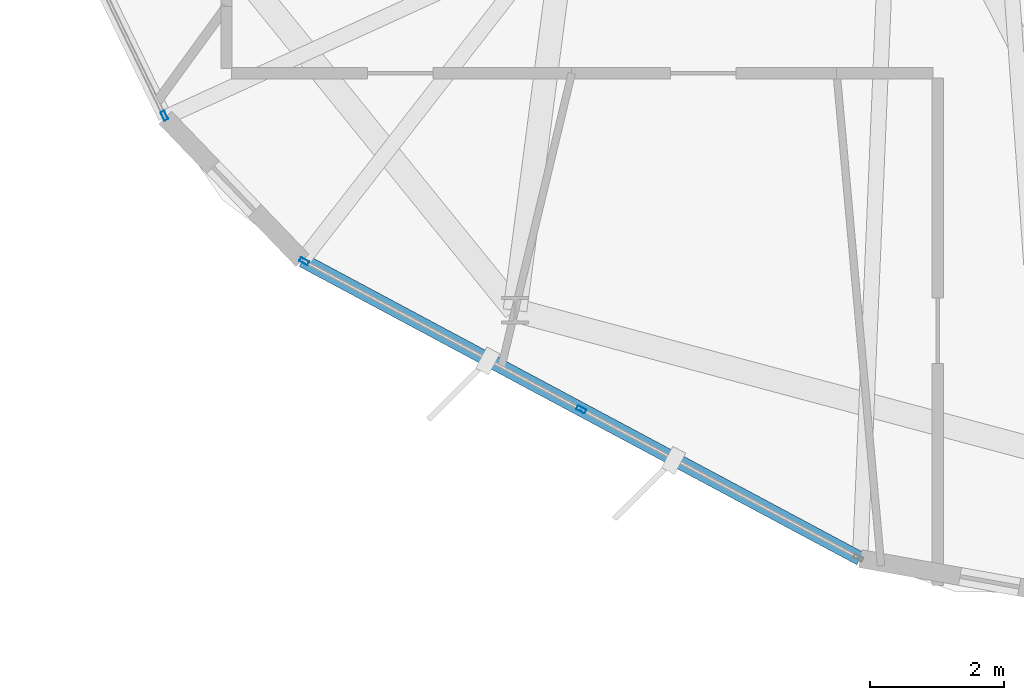
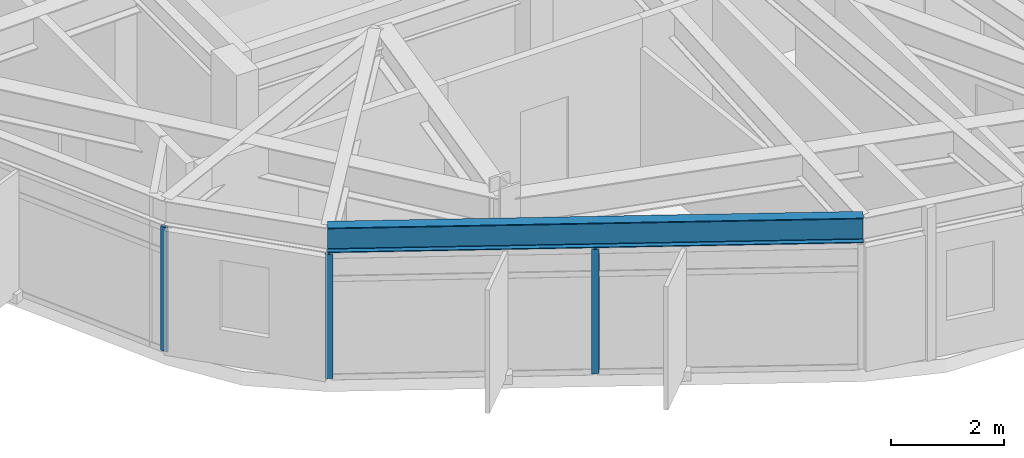
# One storey, part 2 of 26: 3 members, 1 beam, 2 elements without a shape of their own.
"""IFC4 building model written with IfcOpenShell, lengths in metres."""

from ifc_helpers import new_model, si_unit, direction, frame, origin, origin_2d, place, context, subcontext, project, spatial, hollow_rectangle, i_section, extrude, material, layer, layer_set, material_profile, profile_set, type_object, element, aggregate, save


model = new_model("IFC4")

# Units and contexts
model_context = context("Model", 3, precision=1e-05, world=origin(), true_north=direction((0.0, 1.0)))
body_context = subcontext(model_context, "Body", "Model", "MODEL_VIEW")
ifc_project = project(units=[si_unit("LENGTHUNIT", "METRE"), si_unit("AREAUNIT", "SQUARE_METRE"), si_unit("VOLUMEUNIT", "CUBIC_METRE"), si_unit("PLANEANGLEUNIT", "RADIAN"), si_unit("MASSUNIT", "GRAM", prefix="KILO")], contexts=[model_context])

# Site, building, storey
site_placement = place(None, origin())
site = spatial("IfcSite", under=ifc_project, at=site_placement, CompositionType="ELEMENT")
building_placement = place(site_placement, origin())
building = spatial("IfcBuilding", under=site, at=building_placement, Name="Soratama Intermodal Tower", CompositionType="ELEMENT")
storey_placement = place(building_placement, frame((0.0, 0.0, 194.199951171875)))
storey = spatial("IfcBuildingStorey", under=building, at=storey_placement, Name="L48", CompositionType="ELEMENT", Elevation=194.199951171875)

# Beam
ifc_material_1 = material(Name="Structural steel ASTM A992 Grade 50", Category="steel")
ifc_material_profile_1 = material_profile(ifc_material_1, i_section(OverallWidth=0.2099609375, OverallDepth=0.537109375, WebThickness=0.010986328125, FlangeThickness=0.017333984375, FilletRadius=0.012939453125, at=origin_2d()), Name="W21X68")
ifc_profile_set_1 = profile_set([ifc_material_profile_1], Name="Structural steel ASTM A992 Grade 50")
beam_type = type_object("IfcBeamType", Name="BM-SPN-W21X68", PredefinedType="SPANDREL", material=ifc_profile_set_1)
beam_placement = place(storey_placement, frame((31.68701171875, 10.14892578125, 3.031494140625), z_axis=(0.881776413955, -0.471667632759, 0.0), x_axis=(0.471667632759, 0.881776413955, 0.0)))
element("IfcBeam", 1, at=beam_placement, inside=storey, type_object=beam_type, Name="BS-L48-F06", PredefinedType="SPANDREL", context=body_context, shape_type="SweptSolid", body=[
    extrude(i_section(OverallWidth=0.2099609375, OverallDepth=0.537109375, WebThickness=0.010986328125, FlangeThickness=0.017333984375, FilletRadius=0.012939453125, at=origin_2d()), origin(), (0.0, 0.0, 1.0), 9.470703125),
])

# Curtain wall, member
ifc_material_2 = material(Name="Double-glazed aluminium curtain wall", Category="aluminium")
ifc_layer = layer(ifc_material_2, 0.159912109375)
ifc_layer_set = layer_set([ifc_layer], Name="Double-glazed aluminium curtain wall")
curtain_wall_type = type_object("IfcCurtainWallType", Name="CW-SYS-5", PredefinedType="NOTDEFINED", material=ifc_layer_set)
curtain_wall_1_placement = place(storey_placement, origin())
curtain_wall_1 = element("IfcCurtainWall", 2, at=curtain_wall_1_placement, inside=storey, type_object=curtain_wall_type, Name="L48 Faceted Curtain Wall F05", PredefinedType="NOTDEFINED")
ifc_material_3 = material(Name="Anodised aluminium AA 6063-T6", Category="aluminium")
ifc_material_profile_2 = material_profile(ifc_material_3, hollow_rectangle(XDim=0.06494140625, YDim=0.139892578125, WallThickness=0.0048828125, InnerFilletRadius=0.0048828125, OuterFilletRadius=0.010009765625, at=origin_2d()), Name="CWM140X65X5")
ifc_profile_set_2 = profile_set([ifc_material_profile_2], Name="Anodised aluminium AA 6063-T6")
member_type = type_object("IfcMemberType", Name="MT-CWM-5", PredefinedType="MULLION", material=ifc_profile_set_2)
member_1_placement = place(storey_placement, frame((29.617919921875, 12.31494140625, 0.0), z_axis=(0.0, 0.0, 1.0), x_axis=(0.899866601949, 0.436165219496, 0.0)))
member_1 = element("IfcMember", 3, at=member_1_placement, type_object=member_type, Name="CW-5 mullion 3", PredefinedType="MULLION", context=body_context, shape_type="SweptSolid", body=[
    extrude(hollow_rectangle(XDim=0.06494140625, YDim=0.139892578125, WallThickness=0.0048828125, InnerFilletRadius=0.0048828125, OuterFilletRadius=0.010009765625, at=origin_2d()), origin(), (0.0, 0.0, 1.0), 2.678955078125),
])
aggregate(curtain_wall_1, [member_1])

# Curtain wall, members
curtain_wall_2_placement = place(storey_placement, origin())
curtain_wall_2 = element("IfcCurtainWall", 4, at=curtain_wall_2_placement, inside=storey, type_object=curtain_wall_type, Name="L48 Faceted Curtain Wall F06", PredefinedType="NOTDEFINED")
member_2_placement = place(storey_placement, frame((31.713134765625, 10.134765625, 0.0), z_axis=(0.0, 0.0, 1.0), x_axis=(0.471624757296, 0.881799346964, 0.0)))
member_2 = element("IfcMember", 5, at=member_2_placement, type_object=member_type, Name="CW-5 mullion 1", PredefinedType="MULLION", context=body_context, shape_type="SweptSolid", body=[
    extrude(hollow_rectangle(XDim=0.06494140625, YDim=0.139892578125, WallThickness=0.0048828125, InnerFilletRadius=0.0048828125, OuterFilletRadius=0.010009765625, at=origin_2d()), origin(), (0.0, 0.0, 1.0), 2.678955078125),
])
member_3_placement = place(storey_placement, frame((35.8623046875, 7.91552734375, 0.0), z_axis=(0.0, 0.0, 1.0), x_axis=(0.471624757296, 0.881799346964, 0.0)))
member_3 = element("IfcMember", 6, at=member_3_placement, type_object=member_type, Name="CW-5 mullion 2", PredefinedType="MULLION", context=body_context, shape_type="SweptSolid", body=[
    extrude(hollow_rectangle(XDim=0.06494140625, YDim=0.139892578125, WallThickness=0.0048828125, InnerFilletRadius=0.0048828125, OuterFilletRadius=0.010009765625, at=origin_2d()), origin(), (0.0, 0.0, 1.0), 2.678955078125),
])
aggregate(curtain_wall_2, [member_2, member_3])

save(model, "model.ifc")
